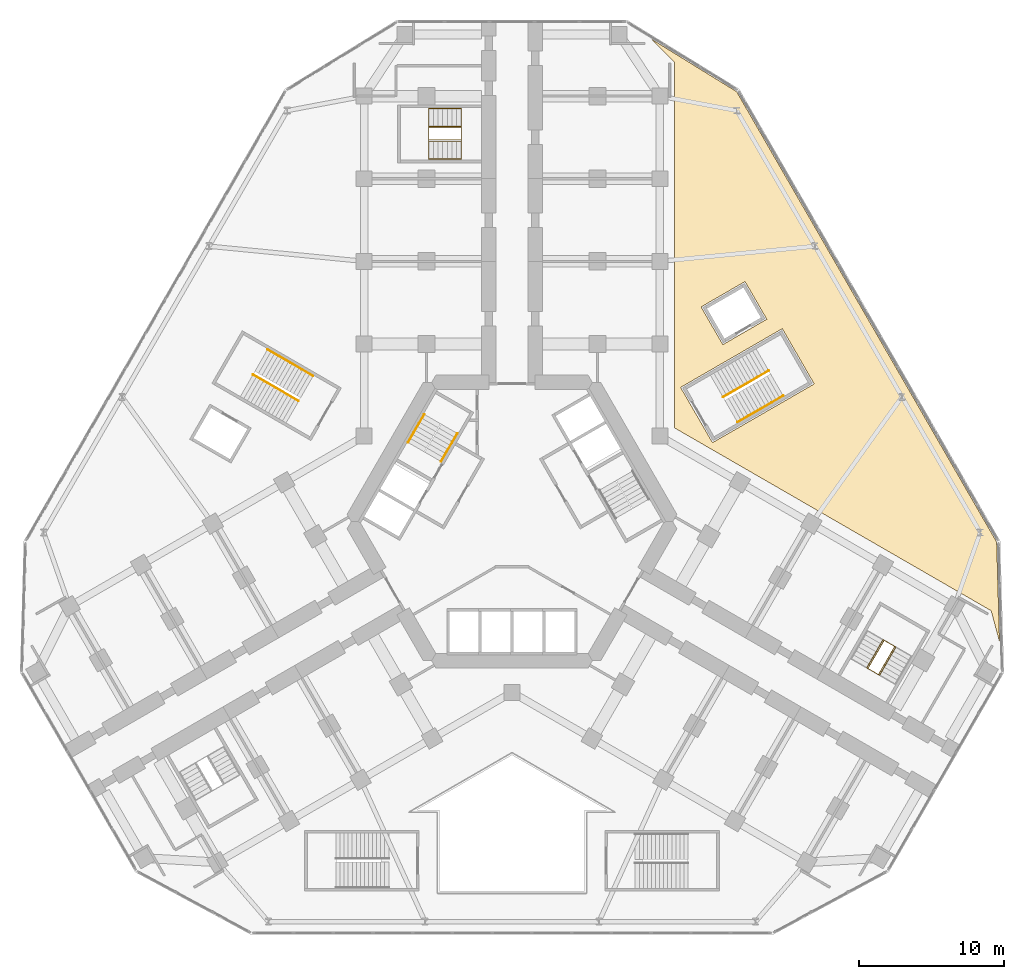
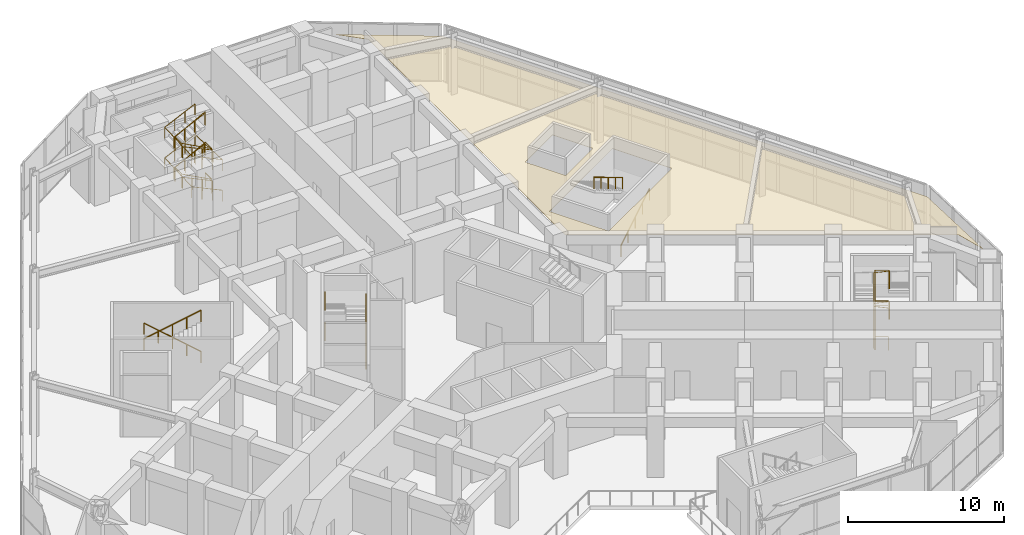
# One storey, part 21 of 21: 13 railings, 1 covering.
"""IFC4 building model written with IfcOpenShell, lengths in metres."""

from ifc_helpers import new_model, si_unit, direction, frame, origin, origin_2d, place, context, subcontext, project, spatial, polyline, circle, outline, extrude, material, layer, layer_set, type_object, element, save


model = new_model("IFC4")

# Units and contexts
model_context = context("Model", 3, precision=1e-05, world=origin(), true_north=direction((0.0, 1.0)))
body_context = subcontext(model_context, "Body", "Model", "MODEL_VIEW")
ifc_project = project(units=[si_unit("LENGTHUNIT", "METRE"), si_unit("AREAUNIT", "SQUARE_METRE"), si_unit("VOLUMEUNIT", "CUBIC_METRE"), si_unit("PLANEANGLEUNIT", "RADIAN"), si_unit("MASSUNIT", "GRAM", prefix="KILO")], contexts=[model_context])

# Site, building, storey
site_placement = place(None, origin())
site = spatial("IfcSite", under=ifc_project, at=site_placement, CompositionType="ELEMENT")
building_placement = place(site_placement, origin())
building = spatial("IfcBuilding", under=site, at=building_placement, Name="Kosmar Iwan School Tower", CompositionType="ELEMENT")
storey_placement = place(building_placement, frame((0.0, 0.0, 6.0)))
storey = spatial("IfcBuildingStorey", under=building, at=storey_placement, Name="L01", CompositionType="ELEMENT", Elevation=6.0)

# Covering
ifc_material_1 = material(Name="Mineral fibre acoustic tiles")
ifc_layer = layer(ifc_material_1, 0.02490234375)
ifc_layer_set = layer_set([ifc_layer], Name="Acoustic ceiling")
covering_type = type_object("IfcCoveringType", Name="Acoustic ceiling", PredefinedType="CEILING", material=ifc_layer_set)
covering_placement = place(storey_placement, frame((0.0, 0.0, 3.60009765625)))
element("IfcCovering", 1, at=covering_placement, inside=storey, type_object=covering_type, Name="Ceiling Kindergarten hall L01-IAC", PredefinedType="CEILING", context=body_context, shape_type="SweptSolid", body=[
    extrude(outline(polyline([(33.629150390625, -8.29052734375), (33.43359375, -1.40869140625), (15.496826171875, 29.65869140625), (9.634521484375, 33.26904296875), (11.199951171875, 31.70361328125), (11.199951171875, 6.46630859375), (33.05615234375, -6.15234375), (33.629150390625, -8.29052734375)]), holes=[polyline([(18.645263671875, 13.30517578125), (11.630615234375, 9.25537109375), (13.83056640625, 5.44482421875), (20.845458984375, 9.49462890625), (18.645263671875, 13.30517578125)]), polyline([(17.57568359375, 13.957763671875), (16.07568359375, 16.555908203125), (13.044677734375, 14.805908203125), (14.544677734375, 12.207763671875), (17.57568359375, 13.957763671875)])]), origin(), (0.0, 0.0, 1.0), 0.02490234375),
])

# Railings
ifc_material_2 = material(Name="Black steel", Category="steel")
railing_type_1 = type_object("IfcRailingType", Name="Stair handrail 900", PredefinedType="HANDRAIL", material=ifc_material_2)
railing_1_placement = place(storey_placement, frame((-4.89453125, 4.142333984375, 0.14990234375)))
element("IfcRailing", 2, at=railing_1_placement, inside=storey, type_object=railing_type_1, Name="Handrail ST2 flight 1", PredefinedType="HANDRAIL", context=body_context, shape_type="SweptSolid", body=[
    extrude(circle(Radius=0.02392578125, at=origin_2d()), frame((0.0, 0.0, 0.8759765625), z_axis=(0.45267848932, 0.784169015945, 0.424453931233), x_axis=(-0.866054910533, 0.49994888933, 0.0)), (0.0, 0.0, 1.0), 2.473876953125),
    extrude(circle(Radius=0.02099609375, at=origin_2d()), origin(), (0.0, 0.0, 1.0), 0.851806640625),
    extrude(circle(Radius=0.02099609375, at=origin_2d()), frame((0.373291015625, 0.646728515625, 0.35009765625)), (0.0, 0.0, 1.0), 0.851806640625),
    extrude(circle(Radius=0.02099609375, at=origin_2d()), frame((0.74658203125, 1.293212890625, 0.699951171875)), (0.0, 0.0, 1.0), 0.851806640625),
    extrude(circle(Radius=0.02099609375, at=origin_2d()), frame((1.119873046875, 1.93994140625, 1.050048828125)), (0.0, 0.0, 1.0), 0.851806640625),
])
railing_2_placement = place(storey_placement, frame((-6.05224609375, 7.397216796875, 1.35009765625)))
element("IfcRailing", 3, at=railing_2_placement, inside=storey, type_object=railing_type_1, Name="Handrail ST2 flight 2", PredefinedType="HANDRAIL", context=body_context, shape_type="SweptSolid", body=[
    extrude(circle(Radius=0.02392578125, at=origin_2d()), frame((0.0, 0.0, 0.8759765625), z_axis=(-0.452775911014, -0.784166824089, 0.424354057838), x_axis=(0.866007717299, -0.500030632641, 0.0)), (0.0, 0.0, 1.0), 2.473876953125),
    extrude(circle(Radius=0.02099609375, at=origin_2d()), origin(), (0.0, 0.0, 1.0), 0.851806640625),
    extrude(circle(Radius=0.02099609375, at=origin_2d()), frame((-0.373291015625, -0.646728515625, 0.349853515625)), (0.0, 0.0, 1.0), 0.851806640625),
    extrude(circle(Radius=0.02099609375, at=origin_2d()), frame((-0.746826171875, -1.293212890625, 0.699951171875)), (0.0, 0.0, 1.0), 0.851806640625),
    extrude(circle(Radius=0.02099609375, at=origin_2d()), frame((-1.1201171875, -1.93994140625, 1.0498046875)), (0.0, 0.0, 1.0), 0.851806640625),
])
railing_3_placement = place(storey_placement, frame((-4.89453125, 4.142333984375, 2.550048828125)))
element("IfcRailing", 4, at=railing_3_placement, inside=storey, type_object=railing_type_1, Name="Handrail ST2 flight 3", PredefinedType="HANDRAIL", context=body_context, shape_type="SweptSolid", body=[
    extrude(circle(Radius=0.02392578125, at=origin_2d()), frame((0.0, 0.0, 0.8759765625), z_axis=(0.45267848932, 0.784169015945, 0.424453931233), x_axis=(-0.866054910533, 0.49994888933, 0.0)), (0.0, 0.0, 1.0), 2.473876953125),
    extrude(circle(Radius=0.02099609375, at=origin_2d()), origin(), (0.0, 0.0, 1.0), 0.851806640625),
    extrude(circle(Radius=0.02099609375, at=origin_2d()), frame((0.373291015625, 0.646728515625, 0.35009765625)), (0.0, 0.0, 1.0), 0.851806640625),
    extrude(circle(Radius=0.02099609375, at=origin_2d()), frame((0.74658203125, 1.293212890625, 0.699951171875)), (0.0, 0.0, 1.0), 0.851806640625),
    extrude(circle(Radius=0.02099609375, at=origin_2d()), frame((1.119873046875, 1.93994140625, 1.050048828125)), (0.0, 0.0, 1.0), 0.851806640625),
])
railing_4_placement = place(storey_placement, frame((-6.05224609375, 7.397216796875, 3.75)))
element("IfcRailing", 5, at=railing_4_placement, inside=storey, type_object=railing_type_1, Name="Handrail ST2 flight 4", PredefinedType="HANDRAIL", context=body_context, shape_type="SweptSolid", body=[
    extrude(circle(Radius=0.02392578125, at=origin_2d()), frame((0.0, 0.0, 0.8759765625), z_axis=(-0.452756948549, -0.784133982819, 0.424434968551), x_axis=(0.866007717299, -0.500030632641, 0.0)), (0.0, 0.0, 1.0), 2.473876953125),
    extrude(circle(Radius=0.02099609375, at=origin_2d()), origin(), (0.0, 0.0, 1.0), 0.851806640625),
    extrude(circle(Radius=0.02099609375, at=origin_2d()), frame((-0.373291015625, -0.646728515625, 0.35009765625)), (0.0, 0.0, 1.0), 0.851806640625),
    extrude(circle(Radius=0.02099609375, at=origin_2d()), frame((-0.746826171875, -1.293212890625, 0.699951171875)), (0.0, 0.0, 1.0), 0.851806640625),
    extrude(circle(Radius=0.02099609375, at=origin_2d()), frame((-1.1201171875, -1.93994140625, 1.050048828125)), (0.0, 0.0, 1.0), 0.851806640625),
])
railing_5_placement = place(storey_placement, frame((-3.5, 25.010009765625, 0.14990234375)))
element("IfcRailing", 6, at=railing_5_placement, inside=storey, type_object=railing_type_1, Name="Handrail stair WS1 L01 wall side", PredefinedType="HANDRAIL", context=body_context, shape_type="SweptSolid", body=[
    extrude(circle(Radius=0.02392578125, at=origin_2d()), frame((0.0, 0.0, 0.8759765625), z_axis=(-0.905450639465, 0.0, 0.424451574969), x_axis=(0.0, -1.0, 0.0)), (0.0, 0.0, 1.0), 2.473876953125),
    extrude(circle(Radius=0.02392578125, at=origin_2d()), frame((-2.239990234375, 0.0, 1.92578125), z_axis=(0.0, 0.99907051819, 0.043105680419), x_axis=(-1.0, 0.0, 0.0)), (0.0, 0.0, 1.0), 3.483154296875),
    extrude(circle(Radius=0.02392578125, at=origin_2d()), frame((-2.239990234375, 3.47998046875, 2.076171875), z_axis=(0.905488564713, 0.0, 0.424370662481), x_axis=(0.0, 1.0, 0.0)), (0.0, 0.0, 1.0), 2.473876953125),
    extrude(circle(Radius=0.02392578125, at=origin_2d()), frame((0.0, 3.47998046875, 3.1259765625), z_axis=(0.0, -0.99907051819, 0.043105680419), x_axis=(1.0, 0.0, 0.0)), (0.0, 0.0, 1.0), 3.483154296875),
    extrude(circle(Radius=0.02392578125, at=origin_2d()), frame((0.0, 0.0, 3.27587890625), z_axis=(-0.905450639465, 0.0, 0.424451574969), x_axis=(0.0, -1.0, 0.0)), (0.0, 0.0, 1.0), 2.473876953125),
    extrude(circle(Radius=0.02392578125, at=origin_2d()), frame((-2.239990234375, 0.0, 4.326171875), z_axis=(0.0, 0.999073534241, 0.0430357198), x_axis=(-1.0, 0.0, 0.0)), (0.0, 0.0, 1.0), 3.483154296875),
    extrude(circle(Radius=0.02392578125, at=origin_2d()), frame((-2.239990234375, 3.47998046875, 4.47607421875), z_axis=(0.905450639465, 0.0, 0.424451574969), x_axis=(0.0, 1.0, 0.0)), (0.0, 0.0, 1.0), 2.473876953125),
    extrude(circle(Radius=0.02099609375, at=origin_2d()), origin(), (0.0, 0.0, 1.0), 0.851806640625),
    extrude(circle(Radius=0.02099609375, at=origin_2d()), frame((-0.74658203125, 0.0, 0.35009765625)), (0.0, 0.0, 1.0), 0.851806640625),
    extrude(circle(Radius=0.02099609375, at=origin_2d()), frame((-1.493408203125, 0.0, 0.699951171875)), (0.0, 0.0, 1.0), 0.851806640625),
    extrude(circle(Radius=0.02099609375, at=origin_2d()), frame((-2.239990234375, 0.0, 1.050048828125)), (0.0, 0.0, 1.0), 0.851806640625),
    extrude(circle(Radius=0.02099609375, at=origin_2d()), frame((-2.239990234375, 1.159912109375, 1.10009765625)), (0.0, 0.0, 1.0), 0.851806640625),
    extrude(circle(Radius=0.02099609375, at=origin_2d()), frame((-2.239990234375, 2.320068359375, 1.150146484375)), (0.0, 0.0, 1.0), 0.851806640625),
    extrude(circle(Radius=0.02099609375, at=origin_2d()), frame((-2.239990234375, 3.47998046875, 1.2001953125)), (0.0, 0.0, 1.0), 0.851806640625),
    extrude(circle(Radius=0.02099609375, at=origin_2d()), frame((-1.493408203125, 3.47998046875, 1.550048828125)), (0.0, 0.0, 1.0), 0.851806640625),
    extrude(circle(Radius=0.02099609375, at=origin_2d()), frame((-0.74658203125, 3.47998046875, 1.900146484375)), (0.0, 0.0, 1.0), 0.851806640625),
    extrude(circle(Radius=0.02099609375, at=origin_2d()), frame((0.0, 3.47998046875, 2.25)), (0.0, 0.0, 1.0), 0.851806640625),
    extrude(circle(Radius=0.02099609375, at=origin_2d()), frame((0.0, 2.320068359375, 2.300048828125)), (0.0, 0.0, 1.0), 0.851806640625),
    extrude(circle(Radius=0.02099609375, at=origin_2d()), frame((0.0, 1.159912109375, 2.35009765625)), (0.0, 0.0, 1.0), 0.851806640625),
    extrude(circle(Radius=0.02099609375, at=origin_2d()), frame((0.0, 0.0, 2.400146484375)), (0.0, 0.0, 1.0), 0.851806640625),
    extrude(circle(Radius=0.02099609375, at=origin_2d()), frame((-0.74658203125, 0.0, 2.750244140625)), (0.0, 0.0, 1.0), 0.851806640625),
    extrude(circle(Radius=0.02099609375, at=origin_2d()), frame((-1.493408203125, 0.0, 3.10009765625)), (0.0, 0.0, 1.0), 0.851806640625),
    extrude(circle(Radius=0.02099609375, at=origin_2d()), frame((-2.239990234375, 0.0, 3.4501953125)), (0.0, 0.0, 1.0), 0.851806640625),
    extrude(circle(Radius=0.02099609375, at=origin_2d()), frame((-2.239990234375, 1.159912109375, 3.500244140625)), (0.0, 0.0, 1.0), 0.851806640625),
    extrude(circle(Radius=0.02099609375, at=origin_2d()), frame((-2.239990234375, 2.320068359375, 3.550048828125)), (0.0, 0.0, 1.0), 0.851806640625),
    extrude(circle(Radius=0.02099609375, at=origin_2d()), frame((-2.239990234375, 3.47998046875, 3.60009765625)), (0.0, 0.0, 1.0), 0.851806640625),
    extrude(circle(Radius=0.02099609375, at=origin_2d()), frame((-1.493408203125, 3.47998046875, 3.9501953125)), (0.0, 0.0, 1.0), 0.851806640625),
    extrude(circle(Radius=0.02099609375, at=origin_2d()), frame((-0.74658203125, 3.47998046875, 4.300048828125)), (0.0, 0.0, 1.0), 0.851806640625),
    extrude(circle(Radius=0.02099609375, at=origin_2d()), frame((0.0, 3.47998046875, 4.650146484375)), (0.0, 0.0, 1.0), 0.851806640625),
])
railing_6_placement = place(storey_placement, frame((-3.5, 26.239990234375, 0.14990234375)))
element("IfcRailing", 7, at=railing_6_placement, inside=storey, type_object=railing_type_1, Name="Handrail stair WS1 L01 well side", PredefinedType="HANDRAIL", context=body_context, shape_type="SweptSolid", body=[
    extrude(circle(Radius=0.02392578125, at=origin_2d()), frame((0.0, 0.0, 0.8759765625), z_axis=(-0.905450639465, 0.0, 0.424451574969), x_axis=(0.0, -1.0, 0.0)), (0.0, 0.0, 1.0), 2.473876953125),
    extrude(circle(Radius=0.02392578125, at=origin_2d()), frame((-2.239990234375, 0.0, 1.92578125), z_axis=(0.0, 0.989339075395, 0.145630333023), x_axis=(-1.0, 0.0, 0.0)), (0.0, 0.0, 1.0), 1.031005859375),
    extrude(circle(Radius=0.02392578125, at=origin_2d()), frame((-2.239990234375, 1.02001953125, 2.076171875), z_axis=(0.905488564713, 0.0, 0.424370662481), x_axis=(0.0, 1.0, 0.0)), (0.0, 0.0, 1.0), 2.473876953125),
    extrude(circle(Radius=0.02392578125, at=origin_2d()), frame((0.0, 1.02001953125, 3.1259765625), z_axis=(0.0, -0.989339075395, 0.145630333023), x_axis=(1.0, 0.0, 0.0)), (0.0, 0.0, 1.0), 1.031005859375),
    extrude(circle(Radius=0.02392578125, at=origin_2d()), frame((0.0, 0.0, 3.27587890625), z_axis=(-0.905450639465, 0.0, 0.424451574969), x_axis=(0.0, -1.0, 0.0)), (0.0, 0.0, 1.0), 2.473876953125),
    extrude(circle(Radius=0.02392578125, at=origin_2d()), frame((-2.239990234375, 0.0, 4.326171875), z_axis=(0.0, 0.989373166647, 0.145398545793), x_axis=(-1.0, 0.0, 0.0)), (0.0, 0.0, 1.0), 1.031005859375),
    extrude(circle(Radius=0.02392578125, at=origin_2d()), frame((-2.239990234375, 1.02001953125, 4.47607421875), z_axis=(0.905450639465, 0.0, 0.424451574969), x_axis=(0.0, 1.0, 0.0)), (0.0, 0.0, 1.0), 2.473876953125),
    extrude(circle(Radius=0.02099609375, at=origin_2d()), origin(), (0.0, 0.0, 1.0), 0.851806640625),
    extrude(circle(Radius=0.02099609375, at=origin_2d()), frame((-0.74658203125, 0.0, 0.35009765625)), (0.0, 0.0, 1.0), 0.851806640625),
    extrude(circle(Radius=0.02099609375, at=origin_2d()), frame((-1.493408203125, 0.0, 0.699951171875)), (0.0, 0.0, 1.0), 0.851806640625),
    extrude(circle(Radius=0.02099609375, at=origin_2d()), frame((-2.239990234375, 0.0, 1.050048828125)), (0.0, 0.0, 1.0), 0.851806640625),
    extrude(circle(Radius=0.02099609375, at=origin_2d()), frame((-2.239990234375, 1.02001953125, 1.2001953125)), (0.0, 0.0, 1.0), 0.851806640625),
    extrude(circle(Radius=0.02099609375, at=origin_2d()), frame((-1.493408203125, 1.02001953125, 1.550048828125)), (0.0, 0.0, 1.0), 0.851806640625),
    extrude(circle(Radius=0.02099609375, at=origin_2d()), frame((-0.74658203125, 1.02001953125, 1.900146484375)), (0.0, 0.0, 1.0), 0.851806640625),
    extrude(circle(Radius=0.02099609375, at=origin_2d()), frame((0.0, 1.02001953125, 2.25)), (0.0, 0.0, 1.0), 0.851806640625),
    extrude(circle(Radius=0.02099609375, at=origin_2d()), frame((0.0, 0.0, 2.400146484375)), (0.0, 0.0, 1.0), 0.851806640625),
    extrude(circle(Radius=0.02099609375, at=origin_2d()), frame((-0.74658203125, 0.0, 2.750244140625)), (0.0, 0.0, 1.0), 0.851806640625),
    extrude(circle(Radius=0.02099609375, at=origin_2d()), frame((-1.493408203125, 0.0, 3.10009765625)), (0.0, 0.0, 1.0), 0.851806640625),
    extrude(circle(Radius=0.02099609375, at=origin_2d()), frame((-2.239990234375, 0.0, 3.4501953125)), (0.0, 0.0, 1.0), 0.851806640625),
    extrude(circle(Radius=0.02099609375, at=origin_2d()), frame((-2.239990234375, 1.02001953125, 3.60009765625)), (0.0, 0.0, 1.0), 0.851806640625),
    extrude(circle(Radius=0.02099609375, at=origin_2d()), frame((-1.493408203125, 1.02001953125, 3.9501953125)), (0.0, 0.0, 1.0), 0.851806640625),
    extrude(circle(Radius=0.02099609375, at=origin_2d()), frame((-0.74658203125, 1.02001953125, 4.300048828125)), (0.0, 0.0, 1.0), 0.851806640625),
    extrude(circle(Radius=0.02099609375, at=origin_2d()), frame((0.0, 1.02001953125, 4.650146484375)), (0.0, 0.0, 1.0), 0.851806640625),
])
railing_7_placement = place(storey_placement, frame((24.474609375, -10.0888671875, 0.14990234375)))
element("IfcRailing", 8, at=railing_7_placement, inside=storey, type_object=railing_type_1, Name="Handrail stair WS3 L01 well side", PredefinedType="HANDRAIL", context=body_context, shape_type="SweptSolid", body=[
    extrude(circle(Radius=0.02392578125, at=origin_2d()), frame((0.0, 0.0, 0.8759765625), z_axis=(0.45267848932, 0.784169015945, 0.424453931233), x_axis=(-0.866054910533, 0.49994888933, 0.0)), (0.0, 0.0, 1.0), 2.473876953125),
    extrude(circle(Radius=0.02392578125, at=origin_2d()), frame((1.119873046875, 1.93994140625, 1.92578125), z_axis=(0.856776769057, -0.494695044378, 0.14563784217), x_axis=(0.500026340207, 0.866010195725, 0.0)), (0.0, 0.0, 1.0), 1.031005859375),
    extrude(circle(Radius=0.02392578125, at=origin_2d()), frame((2.003173828125, 1.429931640625, 2.076171875), z_axis=(-0.452697450193, -0.784201861617, 0.424373018494), x_axis=(0.866054910533, -0.49994888933, 0.0)), (0.0, 0.0, 1.0), 2.473876953125),
    extrude(circle(Radius=0.02392578125, at=origin_2d()), frame((0.88330078125, -0.510009765625, 3.1259765625), z_axis=(-0.856776769057, 0.494695044378, 0.14563784217), x_axis=(-0.500026340207, -0.866010195725, 0.0)), (0.0, 0.0, 1.0), 1.031005859375),
    extrude(circle(Radius=0.02392578125, at=origin_2d()), frame((0.0, 0.0, 3.27587890625), z_axis=(0.45267848932, 0.784169015945, 0.424453931233), x_axis=(-0.866054910533, 0.49994888933, 0.0)), (0.0, 0.0, 1.0), 2.473876953125),
    extrude(circle(Radius=0.02392578125, at=origin_2d()), frame((1.119873046875, 1.93994140625, 4.326171875), z_axis=(0.856806295441, -0.494712092641, 0.145406043505), x_axis=(0.500026340207, 0.866010195725, 0.0)), (0.0, 0.0, 1.0), 1.031005859375),
    extrude(circle(Radius=0.02392578125, at=origin_2d()), frame((2.003173828125, 1.429931640625, 4.47607421875), z_axis=(-0.45267848932, -0.784169015945, 0.424453931233), x_axis=(0.866054910533, -0.49994888933, 0.0)), (0.0, 0.0, 1.0), 2.473876953125),
    extrude(circle(Radius=0.02099609375, at=origin_2d()), origin(), (0.0, 0.0, 1.0), 0.851806640625),
    extrude(circle(Radius=0.02099609375, at=origin_2d()), frame((0.373291015625, 0.646728515625, 0.35009765625)), (0.0, 0.0, 1.0), 0.851806640625),
    extrude(circle(Radius=0.02099609375, at=origin_2d()), frame((0.74658203125, 1.293212890625, 0.699951171875)), (0.0, 0.0, 1.0), 0.851806640625),
    extrude(circle(Radius=0.02099609375, at=origin_2d()), frame((1.119873046875, 1.93994140625, 1.050048828125)), (0.0, 0.0, 1.0), 0.851806640625),
    extrude(circle(Radius=0.02099609375, at=origin_2d()), frame((2.003173828125, 1.429931640625, 1.2001953125)), (0.0, 0.0, 1.0), 0.851806640625),
    extrude(circle(Radius=0.02099609375, at=origin_2d()), frame((1.6298828125, 0.783203125, 1.550048828125)), (0.0, 0.0, 1.0), 0.851806640625),
    extrude(circle(Radius=0.02099609375, at=origin_2d()), frame((1.256591796875, 0.13671875, 1.900146484375)), (0.0, 0.0, 1.0), 0.851806640625),
    extrude(circle(Radius=0.02099609375, at=origin_2d()), frame((0.88330078125, -0.510009765625, 2.25)), (0.0, 0.0, 1.0), 0.851806640625),
    extrude(circle(Radius=0.02099609375, at=origin_2d()), frame((0.0, 0.0, 2.400146484375)), (0.0, 0.0, 1.0), 0.851806640625),
    extrude(circle(Radius=0.02099609375, at=origin_2d()), frame((0.373291015625, 0.646728515625, 2.750244140625)), (0.0, 0.0, 1.0), 0.851806640625),
    extrude(circle(Radius=0.02099609375, at=origin_2d()), frame((0.74658203125, 1.293212890625, 3.10009765625)), (0.0, 0.0, 1.0), 0.851806640625),
    extrude(circle(Radius=0.02099609375, at=origin_2d()), frame((1.119873046875, 1.93994140625, 3.4501953125)), (0.0, 0.0, 1.0), 0.851806640625),
    extrude(circle(Radius=0.02099609375, at=origin_2d()), frame((2.003173828125, 1.429931640625, 3.60009765625)), (0.0, 0.0, 1.0), 0.851806640625),
    extrude(circle(Radius=0.02099609375, at=origin_2d()), frame((1.6298828125, 0.783203125, 3.9501953125)), (0.0, 0.0, 1.0), 0.851806640625),
    extrude(circle(Radius=0.02099609375, at=origin_2d()), frame((1.256591796875, 0.13671875, 4.300048828125)), (0.0, 0.0, 1.0), 0.851806640625),
    extrude(circle(Radius=0.02099609375, at=origin_2d()), frame((0.88330078125, -0.510009765625, 4.650146484375)), (0.0, 0.0, 1.0), 0.851806640625),
])
railing_8_placement = place(storey_placement, frame((15.555908203125, 6.8564453125, 0.17138671875)))
element("IfcRailing", 9, at=railing_8_placement, inside=storey, type_object=railing_type_1, Name="Handrail SS3 flight 1", PredefinedType="HANDRAIL", context=body_context, shape_type="SweptSolid", body=[
    extrude(circle(Radius=0.02392578125, at=origin_2d()), frame((0.0, 0.0, 0.8759765625), z_axis=(0.738592093898, 0.426440834883, 0.522139764025), x_axis=(-0.500012742938, 0.866018046521, 0.0)), (0.0, 0.0, 1.0), 4.26806640625),
    extrude(circle(Radius=0.02099609375, at=origin_2d()), origin(), (0.0, 0.0, 1.0), 0.851806640625),
    extrude(circle(Radius=0.02099609375, at=origin_2d()), frame((0.7880859375, 0.455078125, 0.55712890625)), (0.0, 0.0, 1.0), 0.851806640625),
    extrude(circle(Radius=0.02099609375, at=origin_2d()), frame((1.576171875, 0.91015625, 1.1142578125)), (0.0, 0.0, 1.0), 0.851806640625),
    extrude(circle(Radius=0.02099609375, at=origin_2d()), frame((2.3642578125, 1.364990234375, 1.67138671875)), (0.0, 0.0, 1.0), 0.851806640625),
    extrude(circle(Radius=0.02099609375, at=origin_2d()), frame((3.15234375, 1.820068359375, 2.228515625)), (0.0, 0.0, 1.0), 0.851806640625),
])
railing_9_placement = place(storey_placement, frame((17.708251953125, 10.408447265625, 2.571533203125)))
element("IfcRailing", 10, at=railing_9_placement, inside=storey, type_object=railing_type_1, Name="Handrail SS3 flight 2", PredefinedType="HANDRAIL", context=body_context, shape_type="SweptSolid", body=[
    extrude(circle(Radius=0.02392578125, at=origin_2d()), frame((0.0, 0.0, 0.8759765625), z_axis=(-0.738610110021, -0.426394033464, 0.52215250033), x_axis=(0.499962438169, -0.866047089031, 0.0)), (0.0, 0.0, 1.0), 4.267822265625),
    extrude(circle(Radius=0.02099609375, at=origin_2d()), origin(), (0.0, 0.0, 1.0), 0.851806640625),
    extrude(circle(Radius=0.02099609375, at=origin_2d()), frame((-0.7880859375, -0.455078125, 0.55712890625)), (0.0, 0.0, 1.0), 0.851806640625),
    extrude(circle(Radius=0.02099609375, at=origin_2d()), frame((-1.576171875, -0.909912109375, 1.1142578125)), (0.0, 0.0, 1.0), 0.851806640625),
    extrude(circle(Radius=0.02099609375, at=origin_2d()), frame((-2.3642578125, -1.36474609375, 1.67138671875)), (0.0, 0.0, 1.0), 0.851806640625),
    extrude(circle(Radius=0.02099609375, at=origin_2d()), frame((-3.15234375, -1.81982421875, 2.228515625)), (0.0, 0.0, 1.0), 0.851806640625),
])
railing_10_placement = place(storey_placement, frame((-13.7158203125, 10.04345703125, 0.17138671875)))
element("IfcRailing", 11, at=railing_10_placement, inside=storey, type_object=railing_type_1, Name="Handrail SS4 flight 1", PredefinedType="HANDRAIL", context=body_context, shape_type="SweptSolid", body=[
    extrude(circle(Radius=0.02392578125, at=origin_2d()), frame((0.0, 0.0, 0.8759765625), z_axis=(-0.738592093898, 0.426440834883, 0.522139764025), x_axis=(-0.500012742938, -0.866018046521, 0.0)), (0.0, 0.0, 1.0), 4.26806640625),
    extrude(circle(Radius=0.02099609375, at=origin_2d()), origin(), (0.0, 0.0, 1.0), 0.851806640625),
    extrude(circle(Radius=0.02099609375, at=origin_2d()), frame((-0.7880859375, 0.455078125, 0.55712890625)), (0.0, 0.0, 1.0), 0.851806640625),
    extrude(circle(Radius=0.02099609375, at=origin_2d()), frame((-1.576171875, 0.91015625, 1.1142578125)), (0.0, 0.0, 1.0), 0.851806640625),
    extrude(circle(Radius=0.02099609375, at=origin_2d()), frame((-2.3642578125, 1.364990234375, 1.67138671875)), (0.0, 0.0, 1.0), 0.851806640625),
    extrude(circle(Radius=0.02099609375, at=origin_2d()), frame((-3.15234375, 1.820068359375, 2.228515625)), (0.0, 0.0, 1.0), 0.851806640625),
])
railing_11_placement = place(storey_placement, frame((-17.8681640625, 10.13134765625, 2.571533203125)))
element("IfcRailing", 12, at=railing_11_placement, inside=storey, type_object=railing_type_1, Name="Handrail SS4 flight 2", PredefinedType="HANDRAIL", context=body_context, shape_type="SweptSolid", body=[
    extrude(circle(Radius=0.02392578125, at=origin_2d()), frame((0.0, 0.0, 0.8759765625), z_axis=(0.738610110021, -0.426394033464, 0.52215250033), x_axis=(0.499962438169, 0.866047089031, 0.0)), (0.0, 0.0, 1.0), 4.267822265625),
    extrude(circle(Radius=0.02099609375, at=origin_2d()), origin(), (0.0, 0.0, 1.0), 0.851806640625),
    extrude(circle(Radius=0.02099609375, at=origin_2d()), frame((0.7880859375, -0.455078125, 0.55712890625)), (0.0, 0.0, 1.0), 0.851806640625),
    extrude(circle(Radius=0.02099609375, at=origin_2d()), frame((1.576171875, -0.909912109375, 1.1142578125)), (0.0, 0.0, 1.0), 0.851806640625),
    extrude(circle(Radius=0.02099609375, at=origin_2d()), frame((2.3642578125, -1.36474609375, 1.67138671875)), (0.0, 0.0, 1.0), 0.851806640625),
    extrude(circle(Radius=0.02099609375, at=origin_2d()), frame((3.15234375, -1.81982421875, 2.228515625)), (0.0, 0.0, 1.0), 0.851806640625),
])
ifc_material_3 = material(Name="Black steel", Category="steel")
railing_type_2 = type_object("IfcRailingType", Name="Stair well guard 1100", PredefinedType="GUARDRAIL", material=ifc_material_3)
railing_12_placement = place(storey_placement, frame((-3.5, 27.169921875, 0.0)))
element("IfcRailing", 13, at=railing_12_placement, inside=storey, type_object=railing_type_2, Name="Stair WS1 L01 well guard", PredefinedType="GUARDRAIL", context=body_context, shape_type="SweptSolid", body=[
    extrude(circle(Radius=0.02392578125, at=origin_2d()), frame((0.0, 0.0, 1.076171875), z_axis=(0.0, -1.0, 0.0), x_axis=(1.0, 0.0, 0.0)), (0.0, 0.0, 1.0), 0.83984375),
    extrude(circle(Radius=0.02392578125, at=origin_2d()), frame((0.0, -0.83984375, 1.076171875), z_axis=(-0.881487111273, 0.0, 0.472208081951), x_axis=(0.0, -1.0, 0.0)), (0.0, 0.0, 1.0), 2.541259765625),
    extrude(circle(Radius=0.02392578125, at=origin_2d()), frame((-2.239990234375, -0.83984375, 2.27587890625), z_axis=(0.0, 1.0, 0.0), x_axis=(-1.0, 0.0, 0.0)), (0.0, 0.0, 1.0), 0.83984375),
    extrude(circle(Radius=0.02392578125, at=origin_2d()), frame((-2.239990234375, 0.0, 2.27587890625), z_axis=(0.881487111273, 0.0, 0.472208081951), x_axis=(0.0, 1.0, 0.0)), (0.0, 0.0, 1.0), 2.541259765625),
    extrude(circle(Radius=0.02392578125, at=origin_2d()), frame((0.0, 0.0, 3.47607421875), z_axis=(0.0, -1.0, 0.0), x_axis=(1.0, 0.0, 0.0)), (0.0, 0.0, 1.0), 0.83984375),
    extrude(circle(Radius=0.02392578125, at=origin_2d()), frame((0.0, -0.83984375, 3.47607421875), z_axis=(-0.881447119201, 0.0, 0.472282728937), x_axis=(0.0, -1.0, 0.0)), (0.0, 0.0, 1.0), 2.541259765625),
    extrude(circle(Radius=0.02392578125, at=origin_2d()), frame((-2.239990234375, -0.83984375, 4.67626953125), z_axis=(0.0, 1.0, 0.0), x_axis=(-1.0, 0.0, 0.0)), (0.0, 0.0, 1.0), 0.83984375),
    extrude(circle(Radius=0.02392578125, at=origin_2d()), frame((-2.239990234375, 0.0, 4.67626953125), z_axis=(0.881487111273, 0.0, 0.472208081951), x_axis=(0.0, 1.0, 0.0)), (0.0, 0.0, 1.0), 2.541259765625),
    extrude(circle(Radius=0.02099609375, at=origin_2d()), origin(), (0.0, 0.0, 1.0), 1.052001953125),
    extrude(circle(Radius=0.02099609375, at=origin_2d()), frame((0.0, -0.83984375, 0.0)), (0.0, 0.0, 1.0), 1.052001953125),
    extrude(circle(Radius=0.02099609375, at=origin_2d()), frame((-0.74658203125, -0.83984375, 0.39990234375)), (0.0, 0.0, 1.0), 1.052001953125),
    extrude(circle(Radius=0.02099609375, at=origin_2d()), frame((-1.493408203125, -0.83984375, 0.800048828125)), (0.0, 0.0, 1.0), 1.052001953125),
    extrude(circle(Radius=0.02099609375, at=origin_2d()), frame((-2.239990234375, -0.83984375, 1.199951171875)), (0.0, 0.0, 1.0), 1.052001953125),
    extrude(circle(Radius=0.02099609375, at=origin_2d()), frame((-2.239990234375, 0.0, 1.199951171875)), (0.0, 0.0, 1.0), 1.052001953125),
    extrude(circle(Radius=0.02099609375, at=origin_2d()), frame((-1.493408203125, 0.0, 1.599853515625)), (0.0, 0.0, 1.0), 1.052001953125),
    extrude(circle(Radius=0.02099609375, at=origin_2d()), frame((-0.74658203125, 0.0, 2.0)), (0.0, 0.0, 1.0), 1.052001953125),
    extrude(circle(Radius=0.02099609375, at=origin_2d()), frame((0.0, 0.0, 2.39990234375)), (0.0, 0.0, 1.0), 1.052001953125),
    extrude(circle(Radius=0.02099609375, at=origin_2d()), frame((0.0, -0.83984375, 2.39990234375)), (0.0, 0.0, 1.0), 1.052001953125),
    extrude(circle(Radius=0.02099609375, at=origin_2d()), frame((-0.74658203125, -0.83984375, 2.800048828125)), (0.0, 0.0, 1.0), 1.052001953125),
    extrude(circle(Radius=0.02099609375, at=origin_2d()), frame((-1.493408203125, -0.83984375, 3.199951171875)), (0.0, 0.0, 1.0), 1.052001953125),
    extrude(circle(Radius=0.02099609375, at=origin_2d()), frame((-2.239990234375, -0.83984375, 3.60009765625)), (0.0, 0.0, 1.0), 1.052001953125),
    extrude(circle(Radius=0.02099609375, at=origin_2d()), frame((-2.239990234375, 0.0, 3.60009765625)), (0.0, 0.0, 1.0), 1.052001953125),
    extrude(circle(Radius=0.02099609375, at=origin_2d()), frame((-1.493408203125, 0.0, 4.0)), (0.0, 0.0, 1.0), 1.052001953125),
    extrude(circle(Radius=0.02099609375, at=origin_2d()), frame((-0.74658203125, 0.0, 4.400146484375)), (0.0, 0.0, 1.0), 1.052001953125),
    extrude(circle(Radius=0.02099609375, at=origin_2d()), frame((0.0, 0.0, 4.800048828125)), (0.0, 0.0, 1.0), 1.052001953125),
])
railing_13_placement = place(storey_placement, frame((25.280029296875, -10.553955078125, 0.0)))
element("IfcRailing", 14, at=railing_13_placement, inside=storey, type_object=railing_type_2, Name="Stair WS3 L01 well guard", PredefinedType="GUARDRAIL", context=body_context, shape_type="SweptSolid", body=[
    extrude(circle(Radius=0.02392578125, at=origin_2d()), frame((0.0, 0.0, 1.076171875), z_axis=(-0.865962960534, 0.500108139288, 0.0), x_axis=(-0.500108139288, -0.865962960534, 0.0)), (0.0, 0.0, 1.0), 0.840087890625),
    extrude(circle(Radius=0.02392578125, at=origin_2d()), frame((-0.7275390625, 0.420166015625, 1.076171875), z_axis=(0.440730161534, 0.763375001828, 0.472245202515), x_axis=(-0.866027664105, 0.49999608499, 0.0)), (0.0, 0.0, 1.0), 2.541015625),
    extrude(circle(Radius=0.02392578125, at=origin_2d()), frame((0.392333984375, 2.35986328125, 2.27587890625), z_axis=(0.866088799389, -0.499890179513, 0.0), x_axis=(0.499890179513, 0.866088799389, 0.0)), (0.0, 0.0, 1.0), 0.840087890625),
    extrude(circle(Radius=0.02392578125, at=origin_2d()), frame((1.119873046875, 1.93994140625, 2.27587890625), z_axis=(-0.44069783685, -0.763415088643, 0.472210566408), x_axis=(0.866054910533, -0.49994888933, 0.0)), (0.0, 0.0, 1.0), 2.541015625),
    extrude(circle(Radius=0.02392578125, at=origin_2d()), frame((0.0, 0.0, 3.47607421875), z_axis=(-0.865962960534, 0.500108139288, 0.0), x_axis=(-0.500108139288, -0.865962960534, 0.0)), (0.0, 0.0, 1.0), 0.840087890625),
    extrude(circle(Radius=0.02392578125, at=origin_2d()), frame((-0.7275390625, 0.420166015625, 3.47607421875), z_axis=(0.440710162962, 0.763340362924, 0.472319851999), x_axis=(-0.866027664105, 0.49999608499, 0.0)), (0.0, 0.0, 1.0), 2.541015625),
    extrude(circle(Radius=0.02392578125, at=origin_2d()), frame((0.392333984375, 2.35986328125, 4.67626953125), z_axis=(0.866088799389, -0.499890179513, 0.0), x_axis=(0.499890179513, 0.866088799389, 0.0)), (0.0, 0.0, 1.0), 0.840087890625),
    extrude(circle(Radius=0.02392578125, at=origin_2d()), frame((1.119873046875, 1.93994140625, 4.67626953125), z_axis=(-0.44069783685, -0.763415088643, 0.472210566408), x_axis=(0.866054910533, -0.49994888933, 0.0)), (0.0, 0.0, 1.0), 2.541015625),
    extrude(circle(Radius=0.02099609375, at=origin_2d()), origin(), (0.0, 0.0, 1.0), 1.052001953125),
    extrude(circle(Radius=0.02099609375, at=origin_2d()), frame((-0.7275390625, 0.420166015625, 0.0)), (0.0, 0.0, 1.0), 1.052001953125),
    extrude(circle(Radius=0.02099609375, at=origin_2d()), frame((-0.354248046875, 1.066650390625, 0.39990234375)), (0.0, 0.0, 1.0), 1.052001953125),
    extrude(circle(Radius=0.02099609375, at=origin_2d()), frame((0.01904296875, 1.71337890625, 0.800048828125)), (0.0, 0.0, 1.0), 1.052001953125),
    extrude(circle(Radius=0.02099609375, at=origin_2d()), frame((0.392333984375, 2.35986328125, 1.199951171875)), (0.0, 0.0, 1.0), 1.052001953125),
    extrude(circle(Radius=0.02099609375, at=origin_2d()), frame((1.119873046875, 1.93994140625, 1.199951171875)), (0.0, 0.0, 1.0), 1.052001953125),
    extrude(circle(Radius=0.02099609375, at=origin_2d()), frame((0.74658203125, 1.293212890625, 1.599853515625)), (0.0, 0.0, 1.0), 1.052001953125),
    extrude(circle(Radius=0.02099609375, at=origin_2d()), frame((0.373291015625, 0.646728515625, 2.0)), (0.0, 0.0, 1.0), 1.052001953125),
    extrude(circle(Radius=0.02099609375, at=origin_2d()), frame((0.0, 0.0, 2.39990234375)), (0.0, 0.0, 1.0), 1.052001953125),
    extrude(circle(Radius=0.02099609375, at=origin_2d()), frame((-0.7275390625, 0.420166015625, 2.39990234375)), (0.0, 0.0, 1.0), 1.052001953125),
    extrude(circle(Radius=0.02099609375, at=origin_2d()), frame((-0.354248046875, 1.066650390625, 2.800048828125)), (0.0, 0.0, 1.0), 1.052001953125),
    extrude(circle(Radius=0.02099609375, at=origin_2d()), frame((0.01904296875, 1.71337890625, 3.199951171875)), (0.0, 0.0, 1.0), 1.052001953125),
    extrude(circle(Radius=0.02099609375, at=origin_2d()), frame((0.392333984375, 2.35986328125, 3.60009765625)), (0.0, 0.0, 1.0), 1.052001953125),
    extrude(circle(Radius=0.02099609375, at=origin_2d()), frame((1.119873046875, 1.93994140625, 3.60009765625)), (0.0, 0.0, 1.0), 1.052001953125),
    extrude(circle(Radius=0.02099609375, at=origin_2d()), frame((0.74658203125, 1.293212890625, 4.0)), (0.0, 0.0, 1.0), 1.052001953125),
    extrude(circle(Radius=0.02099609375, at=origin_2d()), frame((0.373291015625, 0.646728515625, 4.400146484375)), (0.0, 0.0, 1.0), 1.052001953125),
    extrude(circle(Radius=0.02099609375, at=origin_2d()), frame((0.0, 0.0, 4.800048828125)), (0.0, 0.0, 1.0), 1.052001953125),
])

save(model, "model.ifc")
